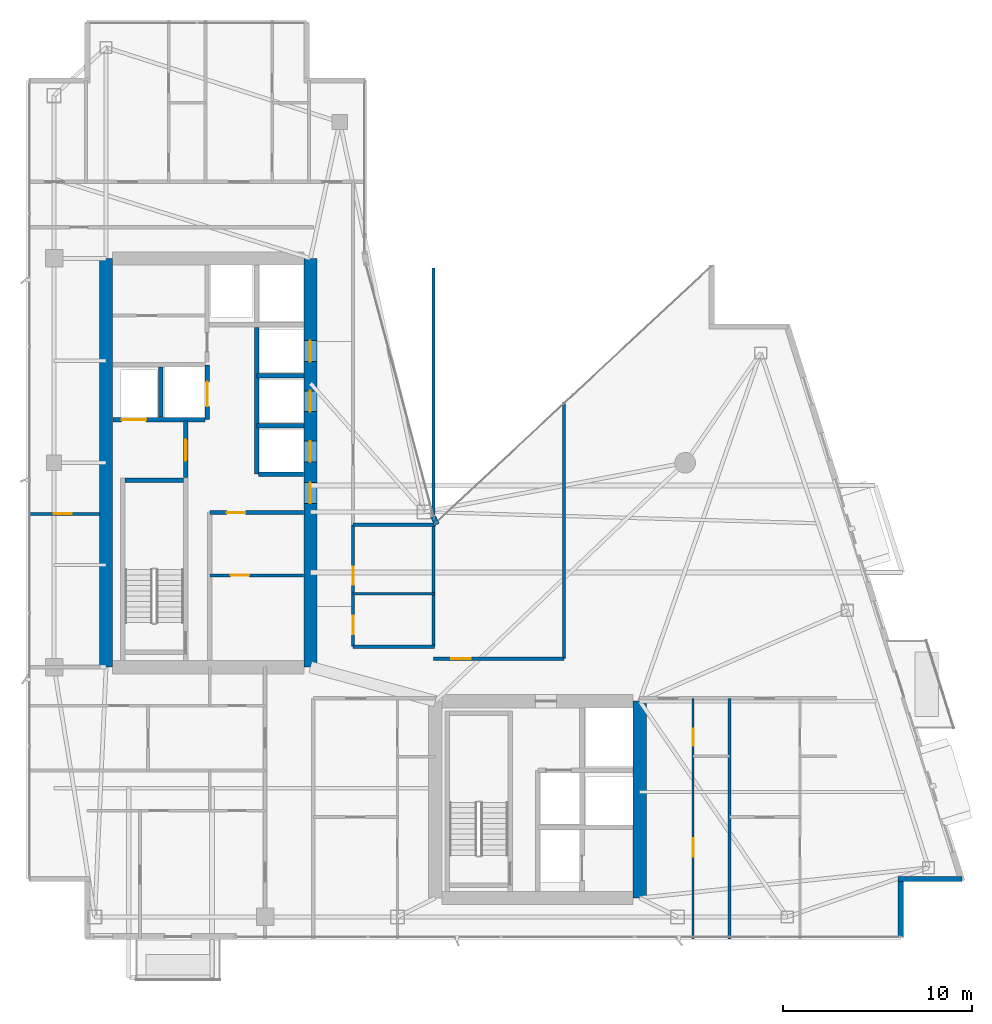
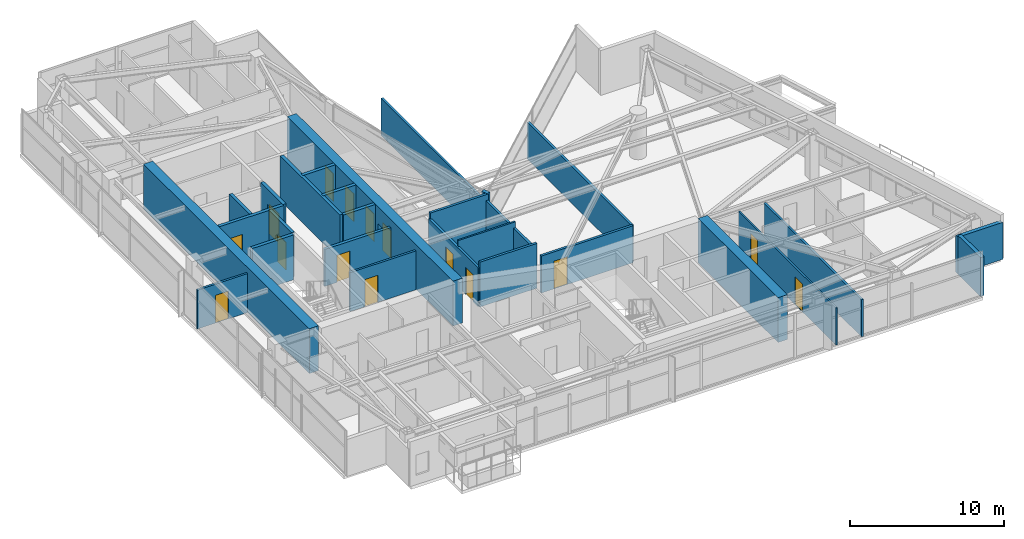
# One storey, part 23 of 27: 28 walls, 15 doors, 15 openings.
"""IFC4 building model written with IfcOpenShell, lengths in metres."""

from ifc_helpers import new_model, si_unit, direction, frame, frame_2d, origin, place, context, subcontext, project, spatial, rectangle, extrude, material, layer, layer_set, type_object, element, fill, save


model = new_model("IFC4")

# Units and contexts
model_context = context("Model", 3, precision=1e-05, world=origin(), true_north=direction((0.0, 1.0)))
body_context = subcontext(model_context, "Body", "Model", "MODEL_VIEW")
ifc_project = project(units=[si_unit("LENGTHUNIT", "METRE"), si_unit("AREAUNIT", "SQUARE_METRE"), si_unit("VOLUMEUNIT", "CUBIC_METRE"), si_unit("PLANEANGLEUNIT", "RADIAN"), si_unit("MASSUNIT", "GRAM", prefix="KILO")], contexts=[model_context])

# Site, building, storey
site_placement = place(None, origin())
site = spatial("IfcSite", under=ifc_project, at=site_placement, CompositionType="ELEMENT")
building_placement = place(site_placement, origin())
building = spatial("IfcBuilding", under=site, at=building_placement, Name="Calvorn Quay Hotel", CompositionType="ELEMENT")
storey_placement = place(building_placement, frame((0.0, 0.0, 226.89990234375)))
storey = spatial("IfcBuildingStorey", under=building, at=storey_placement, Name="L56", CompositionType="ELEMENT", Elevation=226.89990234375)

# Wall
ifc_material_1 = material(Name="Concrete C45", Category="concrete")
ifc_layer_1 = layer(ifc_material_1, 0.699951171875)
ifc_layer_set_1 = layer_set([ifc_layer_1], Name="WL-CORE-700")
wall_type_1 = type_object("IfcWallType", Name="WL-CORE-700", PredefinedType="SHEAR", material=ifc_layer_set_1)
wall_1_placement = place(storey_placement, frame((4.199951171875, 16.800048828125, 0.0), z_axis=(0.0, 0.0, 1.0), x_axis=(0.0, 1.0, 0.0)))
element("IfcWall", 1, at=wall_1_placement, inside=storey, type_object=wall_type_1, Name="West Core Shear Wall W (L56)", PredefinedType="SHEAR", context=body_context, shape_type="SweptSolid", body=[
    extrude(rectangle(XDim=21.599853515625, YDim=0.699951171875, at=frame_2d((10.7998046875, 0.0))), origin(), (0.0, 0.0, 1.0), 3.56005859375),
])

# Wall, openings, doors
wall_2_placement = place(storey_placement, frame((15.0, 16.800048828125, 0.0), z_axis=(0.0, 0.0, 1.0), x_axis=(0.0, 1.0, 0.0)))
wall_2 = element("IfcWall", 2, at=wall_2_placement, inside=storey, type_object=wall_type_1, Name="West Core Shear Wall E (L56)", PredefinedType="SHEAR", context=body_context, shape_type="SweptSolid", body=[
    extrude(rectangle(XDim=21.599853515625, YDim=0.699951171875, at=frame_2d((10.7998046875, 0.0))), origin(), (0.0, 0.0, 1.0), 3.56005859375),
])
opening_1_placement = place(wall_2_placement, frame((8.64990234375, 0.0, 0.0)))
opening_1 = element("IfcOpeningElement", 3, at=opening_1_placement, cuts=wall_2, Name="Opening D-L56-CW1", PredefinedType="OPENING", context=body_context, shape_type="SweptSolid", body=[
    extrude(rectangle(XDim=1.10009765625, YDim=2.199951171875, at=frame_2d((0.550048828125, 1.10009765625))), frame((0.0, 0.35986328125, 0.0), z_axis=(0.0, -1.0, 0.0), x_axis=(1.0, 0.0, 0.0)), (0.0, 0.0, 1.0), 0.719970703125),
])
opening_2_placement = place(wall_2_placement, frame((10.85009765625, 0.0, 0.0)))
opening_2 = element("IfcOpeningElement", 4, at=opening_2_placement, cuts=wall_2, Name="Opening LD-L56-M1", PredefinedType="OPENING", context=body_context, shape_type="SweptSolid", body=[
    extrude(rectangle(XDim=1.10009765625, YDim=2.199951171875, at=frame_2d((0.550048828125, 1.10009765625))), frame((0.0, 0.35986328125, 0.0), z_axis=(0.0, -1.0, 0.0), x_axis=(1.0, 0.0, 0.0)), (0.0, 0.0, 1.0), 0.719970703125),
])
opening_3_placement = place(wall_2_placement, frame((13.5, 0.0, 0.0)))
opening_3 = element("IfcOpeningElement", 5, at=opening_3_placement, cuts=wall_2, Name="Opening LD-L56-M2", PredefinedType="OPENING", context=body_context, shape_type="SweptSolid", body=[
    extrude(rectangle(XDim=1.10009765625, YDim=2.199951171875, at=frame_2d((0.550048828125, 1.10009765625))), frame((0.0, 0.35986328125, 0.0), z_axis=(0.0, -1.0, 0.0), x_axis=(1.0, 0.0, 0.0)), (0.0, 0.0, 1.0), 0.719970703125),
])
opening_4_placement = place(wall_2_placement, frame((16.14990234375, 0.0, 0.0)))
opening_4 = element("IfcOpeningElement", 6, at=opening_4_placement, cuts=wall_2, Name="Opening LD-L56-M3", PredefinedType="OPENING", context=body_context, shape_type="SweptSolid", body=[
    extrude(rectangle(XDim=1.10009765625, YDim=2.199951171875, at=frame_2d((0.550048828125, 1.10009765625))), frame((0.0, 0.35986328125, 0.0), z_axis=(0.0, -1.0, 0.0), x_axis=(1.0, 0.0, 0.0)), (0.0, 0.0, 1.0), 0.719970703125),
])
ifc_material_2 = material(Name="Smoke-Sealed Steel Class A Fire Door", Category="steel")
door_type_1 = type_object("IfcDoorType", Name="DR-FFLOBBY-1100", OperationType="NOTDEFINED", PredefinedType="DOOR", material=ifc_material_2)
door_1_placement = place(opening_1_placement, origin())
door_1 = element("IfcDoor", 7, at=door_1_placement, inside=storey, type_object=door_type_1, Name="West Core Vestibule Fire Door (L56)", OperationType="SINGLE_SWING_LEFT", OverallHeight=2.199951171875, OverallWidth=1.10009765625, PredefinedType="DOOR", context=body_context, shape_type="SweptSolid", body=[
    extrude(rectangle(XDim=1.10009765625, YDim=2.199951171875, at=frame_2d((0.550048828125, 1.10009765625))), frame((0.0, 0.02490234375, 0.0), z_axis=(0.0, -1.0, 0.0), x_axis=(1.0, 0.0, 0.0)), (0.0, 0.0, 1.0), 0.050048828125),
])
fill(opening_1, door_1)
ifc_material_3 = material(Name="Brushed Stainless Steel Sliding Lift Landing Door", Category="steel")
door_type_2 = type_object("IfcDoorType", Name="DR-LIFT-PASS-1100", OperationType="NOTDEFINED", PredefinedType="DOOR", material=ifc_material_3)
door_2_placement = place(opening_2_placement, origin())
door_2 = element("IfcDoor", 8, at=door_2_placement, inside=storey, type_object=door_type_2, Name="Mid-Rise Lift PL-M1 Landing Door (L56)", OperationType="DOUBLE_DOOR_SLIDING", OverallHeight=2.199951171875, OverallWidth=1.10009765625, PredefinedType="DOOR", context=body_context, shape_type="SweptSolid", body=[
    extrude(rectangle(XDim=1.10009765625, YDim=2.199951171875, at=frame_2d((0.550048828125, 1.10009765625))), frame((0.0, 0.02490234375, 0.0), z_axis=(0.0, -1.0, 0.0), x_axis=(1.0, 0.0, 0.0)), (0.0, 0.0, 1.0), 0.050048828125),
])
fill(opening_2, door_2)
door_3_placement = place(opening_3_placement, origin())
door_3 = element("IfcDoor", 9, at=door_3_placement, inside=storey, type_object=door_type_2, Name="Mid-Rise Lift PL-M2 Landing Door (L56)", OperationType="DOUBLE_DOOR_SLIDING", OverallHeight=2.199951171875, OverallWidth=1.10009765625, PredefinedType="DOOR", context=body_context, shape_type="SweptSolid", body=[
    extrude(rectangle(XDim=1.10009765625, YDim=2.199951171875, at=frame_2d((0.550048828125, 1.10009765625))), frame((0.0, 0.02490234375, 0.0), z_axis=(0.0, -1.0, 0.0), x_axis=(1.0, 0.0, 0.0)), (0.0, 0.0, 1.0), 0.050048828125),
])
fill(opening_3, door_3)
door_4_placement = place(opening_4_placement, origin())
door_4 = element("IfcDoor", 10, at=door_4_placement, inside=storey, type_object=door_type_2, Name="Mid-Rise Lift PL-M3 Landing Door (L56)", OperationType="DOUBLE_DOOR_SLIDING", OverallHeight=2.199951171875, OverallWidth=1.10009765625, PredefinedType="DOOR", context=body_context, shape_type="SweptSolid", body=[
    extrude(rectangle(XDim=1.10009765625, YDim=2.199951171875, at=frame_2d((0.550048828125, 1.10009765625))), frame((0.0, 0.02490234375, 0.0), z_axis=(0.0, -1.0, 0.0), x_axis=(1.0, 0.0, 0.0)), (0.0, 0.0, 1.0), 0.050048828125),
])
fill(opening_4, door_4)

# Walls
wall_3_placement = place(storey_placement, frame((32.39990234375, 4.60009765625, 0.0), z_axis=(0.0, 0.0, 1.0), x_axis=(0.0, 1.0, 0.0)))
element("IfcWall", 11, at=wall_3_placement, inside=storey, type_object=wall_type_1, Name="East Core Shear Wall E (L56)", PredefinedType="SHEAR", context=body_context, shape_type="SweptSolid", body=[
    extrude(rectangle(XDim=10.39990234375, YDim=0.699951171875, at=frame_2d((5.199951171875, 0.0))), origin(), (0.0, 0.0, 1.0), 3.56005859375),
])
ifc_material_4 = material(Name="Acoustic Fireboard Steel-Stud Partition", Category="steel")
ifc_layer_2 = layer(ifc_material_4, 0.179931640625)
ifc_layer_set_2 = layer_set([ifc_layer_2], Name="WL-CORR-FIRE-180")
wall_type_2 = type_object("IfcWallType", Name="WL-CORR-FIRE-180", PredefinedType="PARTITIONING", material=ifc_layer_set_2)
wall_4_placement = place(storey_placement, frame((17.25, 17.8798828125, 0.0), z_axis=(0.0, 0.0, 1.0), x_axis=(1.0, 0.0, 0.0)))
element("IfcWall", 12, at=wall_4_placement, inside=storey, type_object=wall_type_2, Name="Partition Wall L56-WL-HK-S", PredefinedType="PARTITIONING", context=body_context, shape_type="SweptSolid", body=[
    extrude(rectangle(XDim=4.300048828125, YDim=0.179931640625, at=frame_2d((2.14990234375, 0.0))), origin(), (0.0, 0.0, 1.0), 3.56005859375),
])
wall_5_placement = place(storey_placement, frame((17.25, 24.320068359375, 0.0), z_axis=(0.0, 0.0, 1.0), x_axis=(1.0, 0.0, 0.0)))
element("IfcWall", 13, at=wall_5_placement, inside=storey, type_object=wall_type_2, Name="Partition Wall L56-WL-HK-N", PredefinedType="PARTITIONING", context=body_context, shape_type="SweptSolid", body=[
    extrude(rectangle(XDim=4.35009765625, YDim=0.179931640625, at=frame_2d((2.175048828125, 0.0))), origin(), (0.0, 0.0, 1.0), 3.56005859375),
])
wall_6_placement = place(storey_placement, frame((21.5, 17.8798828125, 0.0), z_axis=(0.0, 0.0, 1.0), x_axis=(0.0, 1.0, 0.0)))
element("IfcWall", 14, at=wall_6_placement, inside=storey, type_object=wall_type_2, Name="Partition Wall L56-WL-HK-E", PredefinedType="PARTITIONING", context=body_context, shape_type="SweptSolid", body=[
    extrude(rectangle(XDim=6.440185546875, YDim=0.179931640625, at=frame_2d((3.22021484375, 0.0))), origin(), (0.0, 0.0, 1.0), 3.090087890625),
])

# Wall, openings, doors
wall_7_placement = place(storey_placement, frame((17.25, 17.8798828125, 0.0), z_axis=(0.0, 0.0, 1.0), x_axis=(0.0, 1.0, 0.0)))
wall_7 = element("IfcWall", 15, at=wall_7_placement, inside=storey, type_object=wall_type_2, Name="Partition Wall L56-WL-HK-W", PredefinedType="PARTITIONING", context=body_context, shape_type="SweptSolid", body=[
    extrude(rectangle(XDim=6.440185546875, YDim=0.179931640625, at=frame_2d((3.22021484375, 0.0))), origin(), (0.0, 0.0, 1.0), 3.090087890625),
])
opening_5_placement = place(wall_7_placement, frame((0.64990234375, 0.0, 0.0)))
opening_5 = element("IfcOpeningElement", 16, at=opening_5_placement, cuts=wall_7, Name="Opening D-L56-HK", PredefinedType="OPENING", context=body_context, shape_type="SweptSolid", body=[
    extrude(rectangle(XDim=0.97998046875, YDim=2.14990234375, at=frame_2d((0.489990234375, 1.074951171875))), frame((0.0, 0.099853515625, 0.0), z_axis=(0.0, -1.0, 0.0), x_axis=(1.0, 0.0, 0.0)), (0.0, 0.0, 1.0), 0.199951171875),
])
opening_6_placement = place(wall_7_placement, frame((3.27001953125, 0.0, 0.0)))
opening_6 = element("IfcOpeningElement", 17, at=opening_6_placement, cuts=wall_7, Name="Opening D-L56-NCP", PredefinedType="OPENING", context=body_context, shape_type="SweptSolid", body=[
    extrude(rectangle(XDim=0.9599609375, YDim=2.199951171875, at=frame_2d((0.47998046875, 1.10009765625))), frame((0.0, 0.099853515625, 0.0), z_axis=(0.0, -1.0, 0.0), x_axis=(1.0, 0.0, 0.0)), (0.0, 0.0, 1.0), 0.199951171875),
])
ifc_material_5 = material(Name="Painted Steel Housekeeping/Riser Fire Door", Category="steel")
door_type_3 = type_object("IfcDoorType", Name="DR-SERVICE-980", OperationType="NOTDEFINED", PredefinedType="DOOR", material=ifc_material_5)
door_5_placement = place(opening_5_placement, origin())
door_5 = element("IfcDoor", 18, at=door_5_placement, inside=storey, type_object=door_type_3, Name="Floor Housekeeping Door (L56)", OperationType="SINGLE_SWING_LEFT", OverallHeight=2.14990234375, OverallWidth=0.97998046875, PredefinedType="DOOR", context=body_context, shape_type="SweptSolid", body=[
    extrude(rectangle(XDim=0.97998046875, YDim=2.14990234375, at=frame_2d((0.489990234375, 1.074951171875))), frame((0.0, 0.02490234375, 0.0), z_axis=(0.0, -1.0, 0.0), x_axis=(1.0, 0.0, 0.0)), (0.0, 0.0, 1.0), 0.050048828125),
])
fill(opening_5, door_5)
ifc_material_6 = material(Name="Solid Timber Internal Suite Door", Category="wood")
door_type_4 = type_object("IfcDoorType", Name="DR-SUITE-INT-960", OperationType="NOTDEFINED", PredefinedType="DOOR", material=ifc_material_6)
door_6_placement = place(opening_6_placement, origin())
door_6 = element("IfcDoor", 19, at=door_6_placement, inside=storey, type_object=door_type_4, Name="Reading Alcove Door (L56)", OperationType="SINGLE_SWING_RIGHT", OverallHeight=2.199951171875, OverallWidth=0.9599609375, PredefinedType="DOOR", context=body_context, shape_type="SweptSolid", body=[
    extrude(rectangle(XDim=0.9599609375, YDim=2.199951171875, at=frame_2d((0.47998046875, 1.10009765625))), frame((0.0, 0.02490234375, 0.0), z_axis=(0.0, -1.0, 0.0), x_axis=(1.0, 0.0, 0.0)), (0.0, 0.0, 1.0), 0.050048828125),
])
fill(opening_6, door_6)

# Wall, opening, door
wall_8_placement = place(storey_placement, frame((21.5, 17.25, 0.0), z_axis=(0.0, 0.0, 1.0), x_axis=(1.0, 0.0, 0.0)))
wall_8 = element("IfcWall", 20, at=wall_8_placement, inside=storey, type_object=wall_type_2, Name="Partition Wall L56-WL-CORR-NE-N", PredefinedType="PARTITIONING", context=body_context, shape_type="SweptSolid", body=[
    extrude(rectangle(XDim=6.89990234375, YDim=0.179931640625, at=frame_2d((3.449951171875, 0.0))), origin(), (0.0, 0.0, 1.0), 2.940185546875),
])
opening_7_placement = place(wall_8_placement, frame((0.949951171875, 0.0, 0.0)))
opening_7 = element("IfcOpeningElement", 21, at=opening_7_placement, cuts=wall_8, Name="Opening D-L56-NS1", PredefinedType="OPENING", context=body_context, shape_type="SweptSolid", body=[
    extrude(rectangle(XDim=1.02001953125, YDim=2.199951171875, at=frame_2d((0.510009765625, 1.10009765625))), frame((0.0, 0.099853515625, 0.0), z_axis=(0.0, -1.0, 0.0), x_axis=(1.0, 0.0, 0.0)), (0.0, 0.0, 1.0), 0.199951171875),
])
ifc_material_7 = material(Name="Solid-Core Walnut Veneer Hotel Fire Door")
door_type_5 = type_object("IfcDoorType", Name="DR-GUEST-ENTRY-1020", OperationType="NOTDEFINED", PredefinedType="DOOR", material=ifc_material_7)
door_7_placement = place(opening_7_placement, origin())
door_7 = element("IfcDoor", 22, at=door_7_placement, inside=storey, type_object=door_type_5, Name="Conservatory Salon Door 1 (L56)", OperationType="SINGLE_SWING_RIGHT", OverallHeight=2.199951171875, OverallWidth=1.02001953125, PredefinedType="DOOR", context=body_context, shape_type="SweptSolid", body=[
    extrude(rectangle(XDim=1.02001953125, YDim=2.199951171875, at=frame_2d((0.510009765625, 1.10009765625))), frame((0.0, 0.02490234375, 0.0), z_axis=(0.0, -1.0, 0.0), x_axis=(1.0, 0.0, 0.0)), (0.0, 0.0, 1.0), 0.050048828125),
])
fill(opening_7, door_7)

# Walls
wall_9_placement = place(storey_placement, frame((28.39990234375, 17.25, 0.0), z_axis=(0.0, 0.0, 1.0), x_axis=(0.0, 1.0, 0.0)))
element("IfcWall", 23, at=wall_9_placement, inside=storey, type_object=wall_type_2, Name="Partition Wall L56-WL-NE-END-E", PredefinedType="PARTITIONING", context=body_context, shape_type="SweptSolid", body=[
    extrude(rectangle(XDim=13.56005859375, YDim=0.179931640625, at=frame_2d((6.780029296875, 0.0))), origin(), (0.0, 0.0, 1.0), 2.940185546875),
])
ifc_material_8 = material(Name="Moisture-Resistant Tile-Backed Partition")
ifc_layer_3 = layer(ifc_material_8, 0.125)
ifc_layer_set_3 = layer_set([ifc_layer_3], Name="WL-ENSUITE-125")
wall_type_3 = type_object("IfcWallType", Name="WL-ENSUITE-125", PredefinedType="PARTITIONING", material=ifc_layer_set_3)
wall_10_placement = place(storey_placement, frame((17.25, 20.679931640625, 0.0), z_axis=(0.0, 0.0, 1.0), x_axis=(1.0, 0.0, 0.0)))
element("IfcWall", 24, at=wall_10_placement, inside=storey, type_object=wall_type_3, Name="Partition Wall L56-WL-HK-M", PredefinedType="PARTITIONING", context=body_context, shape_type="SweptSolid", body=[
    extrude(rectangle(XDim=4.300048828125, YDim=0.125, at=frame_2d((2.14990234375, 0.0))), origin(), (0.0, 0.0, 1.0), 3.56005859375),
])

# Wall, openings, doors
wall_11_placement = place(storey_placement, frame((35.219970703125, 2.43994140625, 0.0), z_axis=(0.0, 0.0, 1.0), x_axis=(0.0, 1.0, 0.0)))
wall_11 = element("IfcWall", 25, at=wall_11_placement, inside=storey, type_object=wall_type_3, Name="Partition Wall L56-WL-U06-BV", PredefinedType="PARTITIONING", context=body_context, shape_type="SweptSolid", body=[
    extrude(rectangle(XDim=12.7099609375, YDim=0.125, at=frame_2d((6.35498046875, 0.0))), origin(), (0.0, 0.0, 1.0), 2.940185546875),
])
opening_8_placement = place(wall_11_placement, frame((4.35009765625, 0.0, 0.0)))
opening_8 = element("IfcOpeningElement", 26, at=opening_8_placement, cuts=wall_11, Name="Opening D-L56-S06", PredefinedType="OPENING", context=body_context, shape_type="SweptSolid", body=[
    extrude(rectangle(XDim=0.9599609375, YDim=2.199951171875, at=frame_2d((0.47998046875, 1.10009765625))), frame((0.0, 0.072509765625, 0.0), z_axis=(0.0, -1.0, 0.0), x_axis=(1.0, 0.0, 0.0)), (0.0, 0.0, 1.0), 0.14501953125),
])
opening_9_placement = place(wall_11_placement, frame((10.2099609375, 0.0, 0.0)))
opening_9 = element("IfcOpeningElement", 27, at=opening_9_placement, cuts=wall_11, Name="Opening D-L56-E06", PredefinedType="OPENING", context=body_context, shape_type="SweptSolid", body=[
    extrude(rectangle(XDim=0.89990234375, YDim=2.14990234375, at=frame_2d((0.449951171875, 1.074951171875))), frame((0.0, 0.072509765625, 0.0), z_axis=(0.0, -1.0, 0.0), x_axis=(1.0, 0.0, 0.0)), (0.0, 0.0, 1.0), 0.14501953125),
])
ifc_material_9 = material(Name="Moisture-Sealed Timber En-Suite Door", Category="wood")
door_type_6 = type_object("IfcDoorType", Name="DR-ENSUITE-900", OperationType="NOTDEFINED", PredefinedType="DOOR", material=ifc_material_9)
door_8_placement = place(opening_9_placement, origin())
door_8 = element("IfcDoor", 28, at=door_8_placement, inside=storey, type_object=door_type_6, Name="En-Suite Door 06", OperationType="SINGLE_SWING_RIGHT", OverallHeight=2.14990234375, OverallWidth=0.89990234375, PredefinedType="DOOR", context=body_context, shape_type="SweptSolid", body=[
    extrude(rectangle(XDim=0.89990234375, YDim=2.14990234375, at=frame_2d((0.449951171875, 1.074951171875))), frame((0.0, 0.02490234375, 0.0), z_axis=(0.0, -1.0, 0.0), x_axis=(1.0, 0.0, 0.0)), (0.0, 0.0, 1.0), 0.050048828125),
])
fill(opening_9, door_8)
door_9_placement = place(opening_8_placement, origin())
door_9 = element("IfcDoor", 29, at=door_9_placement, inside=storey, type_object=door_type_4, Name="Private Executive Study Door 06", OperationType="SINGLE_SWING_LEFT", OverallHeight=2.199951171875, OverallWidth=0.9599609375, PredefinedType="DOOR", context=body_context, shape_type="SweptSolid", body=[
    extrude(rectangle(XDim=0.9599609375, YDim=2.199951171875, at=frame_2d((0.47998046875, 1.10009765625))), frame((0.0, 0.02490234375, 0.0), z_axis=(0.0, -1.0, 0.0), x_axis=(1.0, 0.0, 0.0)), (0.0, 0.0, 1.0), 0.050048828125),
])
fill(opening_8, door_9)

# Walls
ifc_material_10 = material(Name="Concrete C40", Category="concrete")
ifc_layer_4 = layer(ifc_material_10, 0.320068359375)
ifc_layer_set_4 = layer_set([ifc_layer_4], Name="WL-EXT-SPANDREL-320")
wall_type_4 = type_object("IfcWallType", Name="WL-EXT-SPANDREL-320", PredefinedType="SOLIDWALL", material=ifc_layer_set_4)
wall_12_placement = place(storey_placement, frame((21.679931640625, 24.340087890625, 0.0), z_axis=(0.0, 0.0, 1.0), x_axis=(-0.40758134973, 0.913168901875, 0.0)))
element("IfcWall", 30, at=wall_12_placement, inside=storey, type_object=wall_type_4, Name="Inner Court Corner Pier L56-ICJ1", PredefinedType="SOLIDWALL", context=body_context, shape_type="SweptSolid", body=[
    extrude(rectangle(XDim=0.470703125, YDim=0.280029296875, at=frame_2d((0.2353515625, 0.0))), origin(), (0.0, 0.0, 1.0), 3.56005859375),
])
wall_13_placement = place(storey_placement, frame((46.199951171875, 2.52001953125, 0.0), z_axis=(0.0, 0.0, 1.0), x_axis=(0.0, 1.0, 0.0)))
element("IfcWall", 31, at=wall_13_placement, inside=storey, type_object=wall_type_4, Name="Notched Corner Spandrel L56-SE1", PredefinedType="SOLIDWALL", context=body_context, shape_type="SweptSolid", body=[
    extrude(rectangle(XDim=2.93994140625, YDim=0.280029296875, at=frame_2d((1.469970703125, 0.0))), origin(), (0.0, 0.0, 1.0), 3.090087890625),
])
wall_14_placement = place(storey_placement, frame((46.06005859375, 5.60009765625, 0.0), z_axis=(0.0, 0.0, 1.0), x_axis=(1.0, 0.0, 0.0)))
element("IfcWall", 32, at=wall_14_placement, inside=storey, type_object=wall_type_4, Name="Notched Corner Spandrel L56-SE2", PredefinedType="SOLIDWALL", context=body_context, shape_type="SweptSolid", body=[
    extrude(rectangle(XDim=3.3798828125, YDim=0.280029296875, at=frame_2d((1.68994140625, 0.0))), origin(), (0.0, 0.0, 1.0), 2.940185546875),
])

# Wall, opening, door
ifc_material_11 = material(Name="Double-Stud Acoustic Gypsum Partition")
ifc_layer_5 = layer(ifc_material_11, 0.159912109375)
ifc_layer_set_5 = layer_set([ifc_layer_5], Name="WL-INTERSUITE-160")
wall_type_5 = type_object("IfcWallType", Name="WL-INTERSUITE-160", PredefinedType="PARTITIONING", material=ifc_layer_set_5)
wall_15_placement = place(storey_placement, frame((9.679931640625, 21.64990234375, 0.0), z_axis=(0.0, 0.0, 1.0), x_axis=(1.0, 0.0, 0.0)))
wall_15 = element("IfcWall", 33, at=wall_15_placement, inside=storey, type_object=wall_type_5, Name="Partition Wall L56-WL-CWW-FR-SPLIT", PredefinedType="PARTITIONING", context=body_context, shape_type="SweptSolid", body=[
    extrude(rectangle(XDim=4.949951171875, YDim=0.159912109375, at=frame_2d((2.47509765625, 0.0))), origin(), (0.0, 0.0, 1.0), 3.090087890625),
])
opening_10_placement = place(wall_15_placement, frame((1.10009765625, 0.0, 0.0)))
opening_10 = element("IfcOpeningElement", 34, at=opening_10_placement, cuts=wall_15, Name="Opening D-L56-FRL1", PredefinedType="OPENING", context=body_context, shape_type="SweptSolid", body=[
    extrude(rectangle(XDim=0.97998046875, YDim=2.14990234375, at=frame_2d((0.489990234375, 1.074951171875))), frame((0.0, 0.08984375, 0.0), z_axis=(0.0, -1.0, 0.0), x_axis=(1.0, 0.0, 0.0)), (0.0, 0.0, 1.0), 0.179931640625),
])
door_10_placement = place(opening_10_placement, origin())
door_10 = element("IfcDoor", 35, at=door_10_placement, inside=storey, type_object=door_type_3, Name="Linen Store Room Door (L56)", OperationType="SINGLE_SWING_LEFT", OverallHeight=2.14990234375, OverallWidth=0.97998046875, PredefinedType="DOOR", context=body_context, shape_type="SweptSolid", body=[
    extrude(rectangle(XDim=0.97998046875, YDim=2.14990234375, at=frame_2d((0.489990234375, 1.074951171875))), frame((0.0, 0.02490234375, 0.0), z_axis=(0.0, -1.0, 0.0), x_axis=(1.0, 0.0, 0.0)), (0.0, 0.0, 1.0), 0.050048828125),
])
fill(opening_10, door_10)

wall_16_placement = place(storey_placement, frame((0.080078125, 24.89990234375, 0.0), z_axis=(0.0, 0.0, 1.0), x_axis=(1.0, 0.0, 0.0)))
wall_16 = element("IfcWall", 36, at=wall_16_placement, inside=storey, type_object=wall_type_5, Name="Partition Wall L56-WL-WBAY-DIV", PredefinedType="PARTITIONING", context=body_context, shape_type="SweptSolid", body=[
    extrude(rectangle(XDim=3.7998046875, YDim=0.159912109375, at=frame_2d((1.89990234375, 0.0))), origin(), (0.0, 0.0, 1.0), 3.090087890625),
])
opening_11_placement = place(wall_16_placement, frame((1.35009765625, 0.0, 0.0)))
opening_11 = element("IfcOpeningElement", 37, at=opening_11_placement, cuts=wall_16, Name="Opening D-L56-WBD", PredefinedType="OPENING", context=body_context, shape_type="SweptSolid", body=[
    extrude(rectangle(XDim=0.9599609375, YDim=2.199951171875, at=frame_2d((0.47998046875, 1.10009765625))), frame((0.0, 0.08984375, 0.0), z_axis=(0.0, -1.0, 0.0), x_axis=(1.0, 0.0, 0.0)), (0.0, 0.0, 1.0), 0.179931640625),
])
door_11_placement = place(opening_11_placement, origin())
door_11 = element("IfcDoor", 38, at=door_11_placement, inside=storey, type_object=door_type_4, Name="West Bay Connecting Door (L56)", OperationType="SINGLE_SWING_LEFT", OverallHeight=2.199951171875, OverallWidth=0.9599609375, PredefinedType="DOOR", context=body_context, shape_type="SweptSolid", body=[
    extrude(rectangle(XDim=0.9599609375, YDim=2.199951171875, at=frame_2d((0.47998046875, 1.10009765625))), frame((0.0, 0.02490234375, 0.0), z_axis=(0.0, -1.0, 0.0), x_axis=(1.0, 0.0, 0.0)), (0.0, 0.0, 1.0), 0.050048828125),
])
fill(opening_11, door_11)

# Walls
wall_17_placement = place(storey_placement, frame((37.14990234375, 2.43994140625, 0.0), z_axis=(0.0, 0.0, 1.0), x_axis=(0.0, 1.0, 0.0)))
element("IfcWall", 39, at=wall_17_placement, inside=storey, type_object=wall_type_5, Name="Partition Wall L56-WL-SE-DIV-1", PredefinedType="PARTITIONING", context=body_context, shape_type="SweptSolid", body=[
    extrude(rectangle(XDim=12.7099609375, YDim=0.159912109375, at=frame_2d((6.35498046875, 0.0))), origin(), (0.0, 0.0, 1.0), 2.940185546875),
])
wall_18_placement = place(storey_placement, frame((21.5, 24.85009765625, 0.0), z_axis=(0.0, 0.0, 1.0), x_axis=(0.0, 1.0, 0.0)))
element("IfcWall", 40, at=wall_18_placement, inside=storey, type_object=wall_type_5, Name="Partition Wall L56-WL-NC-UPPER-E", PredefinedType="PARTITIONING", context=body_context, shape_type="SweptSolid", body=[
    extrude(rectangle(XDim=13.0498046875, YDim=0.159912109375, at=frame_2d((6.52490234375, 0.0))), origin(), (0.0, 0.0, 1.0), 2.940185546875),
])

# Wall, opening, door
ifc_material_12 = material(Name="Autoclaved Aerated Masonry Block", Category="masonry")
ifc_layer_6 = layer(ifc_material_12, 0.219970703125)
ifc_layer_set_6 = layer_set([ifc_layer_6], Name="WL-LOBBY-FIRE-220")
wall_type_6 = type_object("IfcWallType", Name="WL-LOBBY-FIRE-220", PredefinedType="SOLIDWALL", material=ifc_layer_set_6)
wall_19_placement = place(storey_placement, frame((9.679931640625, 24.969970703125, 0.0), z_axis=(0.0, 0.0, 1.0), x_axis=(1.0, 0.0, 0.0)))
wall_19 = element("IfcWall", 41, at=wall_19_placement, inside=storey, type_object=wall_type_6, Name="Partition Wall L56-WL-CWW-FR-N", PredefinedType="SOLIDWALL", context=body_context, shape_type="SweptSolid", body=[
    extrude(rectangle(XDim=4.949951171875, YDim=0.219970703125, at=frame_2d((2.47509765625, 0.0))), origin(), (0.0, 0.0, 1.0), 2.940185546875),
])
opening_12_placement = place(wall_19_placement, frame((0.89990234375, 0.0, 0.0)))
opening_12 = element("IfcOpeningElement", 42, at=opening_12_placement, cuts=wall_19, Name="Opening D-L56-FRL2", PredefinedType="OPENING", context=body_context, shape_type="SweptSolid", body=[
    extrude(rectangle(XDim=0.97998046875, YDim=2.14990234375, at=frame_2d((0.489990234375, 1.074951171875))), frame((0.0, 0.119873046875, 0.0), z_axis=(0.0, -1.0, 0.0), x_axis=(1.0, 0.0, 0.0)), (0.0, 0.0, 1.0), 0.239990234375),
])
door_12_placement = place(opening_12_placement, origin())
door_12 = element("IfcDoor", 43, at=door_12_placement, inside=storey, type_object=door_type_3, Name="Beverage Pantry Door (L56)", OperationType="SINGLE_SWING_RIGHT", OverallHeight=2.14990234375, OverallWidth=0.97998046875, PredefinedType="DOOR", context=body_context, shape_type="SweptSolid", body=[
    extrude(rectangle(XDim=0.97998046875, YDim=2.14990234375, at=frame_2d((0.489990234375, 1.074951171875))), frame((0.0, 0.02490234375, 0.0), z_axis=(0.0, -1.0, 0.0), x_axis=(1.0, 0.0, 0.0)), (0.0, 0.0, 1.0), 0.050048828125),
])
fill(opening_12, door_12)

# Walls
ifc_material_13 = material(Name="Concrete C40", Category="concrete")
ifc_layer_7 = layer(ifc_material_13, 0.239990234375)
ifc_layer_set_7 = layer_set([ifc_layer_7], Name="WL-SHAFT-240")
wall_type_7 = type_object("IfcWallType", Name="WL-SHAFT-240", PredefinedType="SOLIDWALL", material=ifc_layer_set_7)
wall_20_placement = place(storey_placement, frame((5.199951171875, 26.669921875, 0.0), z_axis=(0.0, 0.0, 1.0), x_axis=(1.0, 0.0, 0.0)))
element("IfcWall", 44, at=wall_20_placement, inside=storey, type_object=wall_type_7, Name="Stair STW Shaft Wall N (L56)", PredefinedType="SOLIDWALL", context=body_context, shape_type="SweptSolid", body=[
    extrude(rectangle(XDim=3.10009765625, YDim=0.239990234375, at=frame_2d((1.550048828125, 0.0))), origin(), (0.0, 0.0, 1.0), 3.56005859375),
])
for number, where, z_axis, x_axis, name in (
    (45, (12.179931640625, 29.550048828125, 0.0), (0.0, 0.0, 1.0), (1.0, 0.0, 0.0), "Lift Hoistway Divider Wall PLM12 (L56)"),
    (46, (12.179931640625, 32.199951171875, 0.0), (0.0, 0.0, 1.0), (1.0, 0.0, 0.0), "Lift Hoistway Divider Wall PLM23 (L56)"),
):
    element("IfcWall", number, at=place(storey_placement, frame(where, z_axis=z_axis, x_axis=x_axis)), inside=storey, type_object=wall_type_7, Name=name, PredefinedType="SOLIDWALL", context=body_context, shape_type="SweptSolid", body=[
        extrude(rectangle(XDim=2.469970703125, YDim=0.239990234375, at=frame_2d((1.23486328125, 0.0))), origin(), (0.0, 0.0, 1.0), 3.56005859375),
    ])

# Wall, opening, door
wall_21_placement = place(storey_placement, frame((8.419921875, 26.820068359375, 0.0), z_axis=(0.0, 0.0, 1.0), x_axis=(0.0, 1.0, 0.0)))
wall_21 = element("IfcWall", 47, at=wall_21_placement, inside=storey, type_object=wall_type_7, Name="Partition Wall L56-WL-CWW-FFL-E", PredefinedType="SOLIDWALL", context=body_context, shape_type="SweptSolid", body=[
    extrude(rectangle(XDim=3.0, YDim=0.239990234375, at=frame_2d((1.5, 0.0))), origin(), (0.0, 0.0, 1.0), 3.56005859375),
])
opening_13_placement = place(wall_21_placement, frame((0.89990234375, 0.0, 0.0)))
opening_13 = element("IfcOpeningElement", 48, at=opening_13_placement, cuts=wall_21, Name="Opening D-L56-FLW", PredefinedType="OPENING", context=body_context, shape_type="SweptSolid", body=[
    extrude(rectangle(XDim=1.10009765625, YDim=2.199951171875, at=frame_2d((0.550048828125, 1.10009765625))), frame((0.0, 0.1298828125, 0.0), z_axis=(0.0, -1.0, 0.0), x_axis=(1.0, 0.0, 0.0)), (0.0, 0.0, 1.0), 0.260009765625),
])
door_13_placement = place(opening_13_placement, origin())
door_13 = element("IfcDoor", 49, at=door_13_placement, inside=storey, type_object=door_type_1, Name="West Firefighting Lobby Fire Door (L56)", OperationType="SINGLE_SWING_RIGHT", OverallHeight=2.199951171875, OverallWidth=1.10009765625, PredefinedType="DOOR", context=body_context, shape_type="SweptSolid", body=[
    extrude(rectangle(XDim=1.10009765625, YDim=2.199951171875, at=frame_2d((0.550048828125, 1.10009765625))), frame((0.0, 0.02490234375, 0.0), z_axis=(0.0, -1.0, 0.0), x_axis=(1.0, 0.0, 0.0)), (0.0, 0.0, 1.0), 0.050048828125),
])
fill(opening_13, door_13)

wall_22_placement = place(storey_placement, frame((4.570068359375, 29.8798828125, 0.0), z_axis=(0.0, 0.0, 1.0), x_axis=(1.0, 0.0, 0.0)))
wall_22 = element("IfcWall", 50, at=wall_22_placement, inside=storey, type_object=wall_type_7, Name="Partition Wall L56-WL-CWW-FLW-S", PredefinedType="SOLIDWALL", context=body_context, shape_type="SweptSolid", body=[
    extrude(rectangle(XDim=4.849853515625, YDim=0.239990234375, at=frame_2d((2.4248046875, 0.0))), origin(), (0.0, 0.0, 1.0), 3.56005859375),
])
opening_14_placement = place(wall_22_placement, frame((0.449951171875, 0.0, 0.0)))
opening_14 = element("IfcOpeningElement", 51, at=opening_14_placement, cuts=wall_22, Name="Opening LD-L56-FLW1", PredefinedType="OPENING", context=body_context, shape_type="SweptSolid", body=[
    extrude(rectangle(XDim=1.300048828125, YDim=2.35009765625, at=frame_2d((0.64990234375, 1.175048828125))), frame((0.0, 0.1298828125, 0.0), z_axis=(0.0, -1.0, 0.0), x_axis=(1.0, 0.0, 0.0)), (0.0, 0.0, 1.0), 0.260009765625),
])
ifc_material_14 = material(Name="Champagne-Bronze Sliding Express Lift Landing Door")
door_type_7 = type_object("IfcDoorType", Name="DR-LIFT-SHUTTLE-1300", OperationType="NOTDEFINED", PredefinedType="DOOR", material=ifc_material_14)
door_14_placement = place(opening_14_placement, origin())
door_14 = element("IfcDoor", 52, at=door_14_placement, inside=storey, type_object=door_type_7, Name="Firefighting Lift FL-W1 Landing Door (L56)", OperationType="DOUBLE_DOOR_SLIDING", OverallHeight=2.35009765625, OverallWidth=1.300048828125, PredefinedType="DOOR", context=body_context, shape_type="SweptSolid", body=[
    extrude(rectangle(XDim=1.300048828125, YDim=2.35009765625, at=frame_2d((0.64990234375, 1.175048828125))), frame((0.0, 0.02490234375, 0.0), z_axis=(0.0, -1.0, 0.0), x_axis=(1.0, 0.0, 0.0)), (0.0, 0.0, 1.0), 0.050048828125),
])
fill(opening_14, door_14)

# Wall
wall_23_placement = place(storey_placement, frame((7.10009765625, 30.02001953125, 0.0), z_axis=(0.0, 0.0, 1.0), x_axis=(0.0, 1.0, 0.0)))
element("IfcWall", 53, at=wall_23_placement, inside=storey, type_object=wall_type_7, Name="Partition Wall L56-WL-CWW-FLW-DIV", PredefinedType="SOLIDWALL", context=body_context, shape_type="SweptSolid", body=[
    extrude(rectangle(XDim=2.6298828125, YDim=0.239990234375, at=frame_2d((1.31494140625, 0.0))), origin(), (0.0, 0.0, 1.0), 3.56005859375),
])

# Wall, opening, door
wall_24_placement = place(storey_placement, frame((9.5400390625, 29.8798828125, 0.0), z_axis=(0.0, 0.0, 1.0), x_axis=(0.0, 1.0, 0.0)))
wall_24 = element("IfcWall", 54, at=wall_24_placement, inside=storey, type_object=wall_type_7, Name="Partition Wall L56-WL-CWW-SLW-E", PredefinedType="SOLIDWALL", context=body_context, shape_type="SweptSolid", body=[
    extrude(rectangle(XDim=2.900146484375, YDim=0.239990234375, at=frame_2d((1.4501953125, 0.0))), origin(), (0.0, 0.0, 1.0), 3.56005859375),
])
opening_15_placement = place(wall_24_placement, frame((0.699951171875, 0.0, 0.0)))
opening_15 = element("IfcOpeningElement", 55, at=opening_15_placement, cuts=wall_24, Name="Opening LD-L56-SLW1", PredefinedType="OPENING", context=body_context, shape_type="SweptSolid", body=[
    extrude(rectangle(XDim=1.300048828125, YDim=2.35009765625, at=frame_2d((0.64990234375, 1.175048828125))), frame((0.0, 0.1298828125, 0.0), z_axis=(0.0, -1.0, 0.0), x_axis=(1.0, 0.0, 0.0)), (0.0, 0.0, 1.0), 0.260009765625),
])
door_15_placement = place(opening_15_placement, origin())
door_15 = element("IfcDoor", 56, at=door_15_placement, inside=storey, type_object=door_type_7, Name="Service Lift SL-W1 Landing Door (L56)", OperationType="DOUBLE_DOOR_SLIDING", OverallHeight=2.35009765625, OverallWidth=1.300048828125, PredefinedType="DOOR", context=body_context, shape_type="SweptSolid", body=[
    extrude(rectangle(XDim=1.300048828125, YDim=2.35009765625, at=frame_2d((0.64990234375, 1.175048828125))), frame((0.0, 0.02490234375, 0.0), z_axis=(0.0, -1.0, 0.0), x_axis=(1.0, 0.0, 0.0)), (0.0, 0.0, 1.0), 0.050048828125),
])
fill(opening_15, door_15)

# Walls
wall_25_placement = place(storey_placement, frame((12.25, 27.0, 0.0), z_axis=(0.0, 0.0, 1.0), x_axis=(1.0, 0.0, 0.0)))
element("IfcWall", 57, at=wall_25_placement, inside=storey, type_object=wall_type_7, Name="Partition Wall L56-WL-CWW-PLM-S", PredefinedType="SOLIDWALL", context=body_context, shape_type="SweptSolid", body=[
    extrude(rectangle(XDim=2.3798828125, YDim=0.239990234375, at=frame_2d((1.18994140625, 0.0))), origin(), (0.0, 0.0, 1.0), 3.56005859375),
])
wall_26_placement = place(storey_placement, frame((12.14990234375, 27.0, 0.0), z_axis=(0.0, 0.0, 1.0), x_axis=(0.0, 1.0, 0.0)))
element("IfcWall", 58, at=wall_26_placement, inside=storey, type_object=wall_type_7, Name="Partition Wall L56-WL-CWW-PLM-W", PredefinedType="SOLIDWALL", context=body_context, shape_type="SweptSolid", body=[
    extrude(rectangle(XDim=7.75, YDim=0.239990234375, at=frame_2d((3.875, 0.0))), origin(), (0.0, 0.0, 1.0), 3.56005859375),
])

save(model, "model.ifc")
